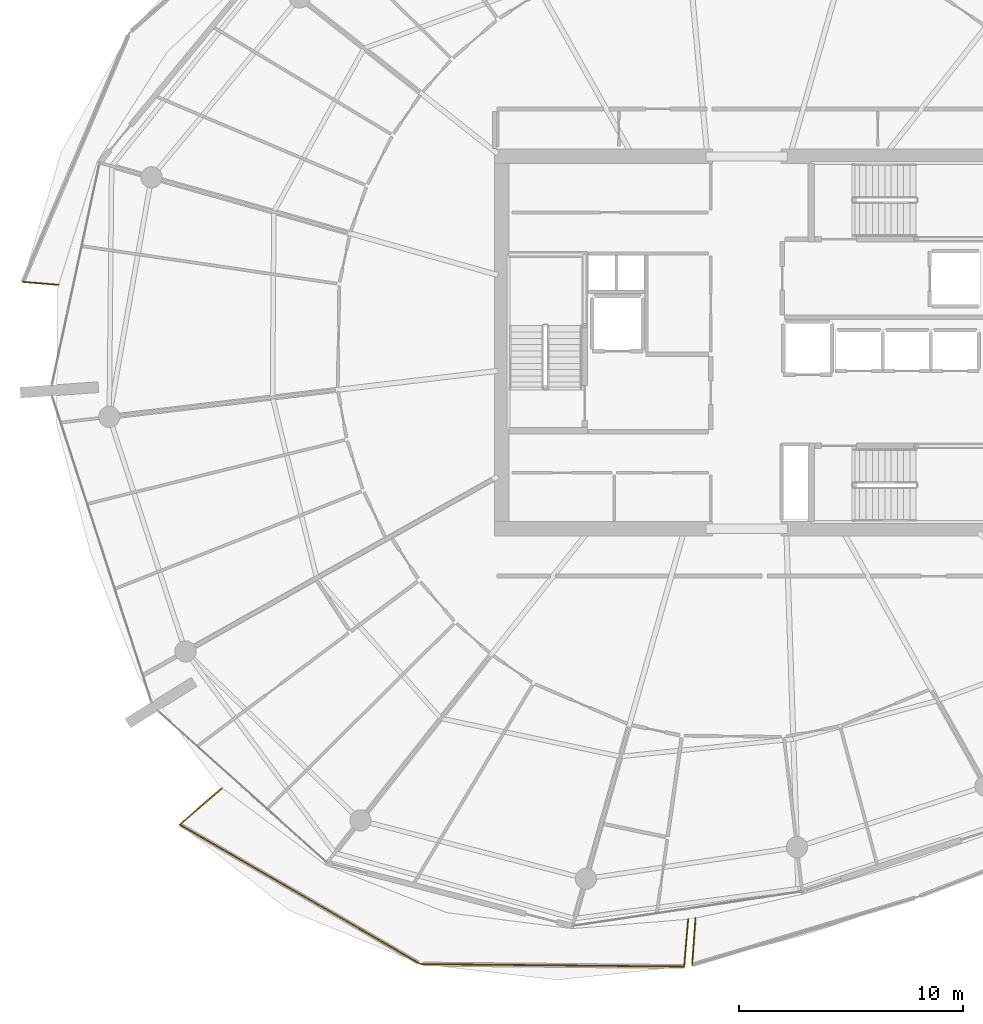
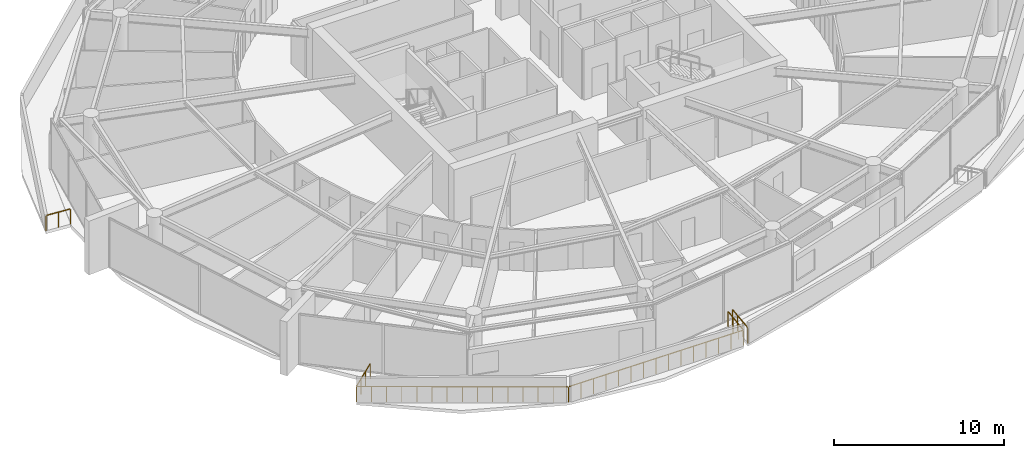
# One storey, part 24 of 30: 6 railings.
"""IFC4 building model written with IfcOpenShell, lengths in metres."""

from ifc_helpers import new_model, si_unit, direction, frame, origin, origin_2d, place, context, subcontext, project, spatial, rectangle, extrude, material, type_object, element, save


model = new_model("IFC4")

# Units and contexts
model_context = context("Model", 3, precision=1e-05, world=origin(), true_north=direction((0.0, 1.0)))
body_context = subcontext(model_context, "Body", "Model", "MODEL_VIEW")
ifc_project = project(units=[si_unit("LENGTHUNIT", "METRE"), si_unit("AREAUNIT", "SQUARE_METRE"), si_unit("VOLUMEUNIT", "CUBIC_METRE"), si_unit("PLANEANGLEUNIT", "RADIAN"), si_unit("MASSUNIT", "GRAM", prefix="KILO")], contexts=[model_context])

# Site, building, storey
site_placement = place(None, origin())
site = spatial("IfcSite", under=ifc_project, at=site_placement, CompositionType="ELEMENT")
building_placement = place(site_placement, origin())
building = spatial("IfcBuilding", under=site, at=building_placement, Name="Kazma Halo Residences", CompositionType="ELEMENT")
storey_placement = place(building_placement, frame((0.0, 0.0, 244.39990234375)))
storey = spatial("IfcBuildingStorey", under=building, at=storey_placement, Name="L61", CompositionType="ELEMENT", Elevation=244.39990234375)

# Railings
ifc_material = material(Name="Aluminium AW-6063 T6 Brushed Cap Rail", Category="aluminium")
railing_type = type_object("IfcRailingType", Name="RLG-BAL-CAP-1120", PredefinedType="BALUSTRADE", material=ifc_material)
railing_1_placement = place(storey_placement, frame((16.0546875, 44.710693359375, 0.0)))
element("IfcRailing", 1, at=railing_1_placement, inside=storey, type_object=railing_type, Name="L61 NW wave balcony guard 4", PredefinedType="BALUSTRADE", context=body_context, shape_type="SweptSolid", body=[
    extrude(rectangle(XDim=0.050048828125, YDim=0.050048828125, at=origin_2d()), frame((0.04248046875, -0.003662109375, 1.09521484375), z_axis=(0.996411975362, -0.08463554428, 0.0), x_axis=(0.08463554428, 0.996411975362, 0.0)), (0.0, 0.0, 1.0), 1.515869140625),
    extrude(rectangle(XDim=0.0400390625, YDim=0.0400390625, at=origin_2d()), origin(), (0.0, 0.0, 1.0), 1.05810546875),
    extrude(rectangle(XDim=0.0400390625, YDim=0.0400390625, at=origin_2d()), frame((0.797607421875, -0.06787109375, 0.0)), (0.0, 0.0, 1.0), 1.05810546875),
    extrude(rectangle(XDim=0.0400390625, YDim=0.0400390625, at=origin_2d()), frame((1.59521484375, -0.135498046875, 0.0)), (0.0, 0.0, 1.0), 1.05810546875),
])
railing_2_placement = place(storey_placement, frame((24.9599609375, 22.0771484375, 0.0)))
element("IfcRailing", 2, at=railing_2_placement, inside=storey, type_object=railing_type, Name="L61 SW wave balcony guard 1", PredefinedType="BALUSTRADE", context=body_context, shape_type="SweptSolid", body=[
    extrude(rectangle(XDim=0.050048828125, YDim=0.050048828125, at=origin_2d()), frame((-0.0322265625, -0.02783203125, 1.09521484375), z_axis=(-0.75642466345, -0.65408082721, 0.0), x_axis=(0.65408082721, -0.75642466345, 0.0)), (0.0, 0.0, 1.0), 2.41015625),
    extrude(rectangle(XDim=0.0400390625, YDim=0.0400390625, at=origin_2d()), origin(), (0.0, 0.0, 1.0), 1.05810546875),
    extrude(rectangle(XDim=0.0400390625, YDim=0.0400390625, at=origin_2d()), frame((-0.629150390625, -0.5439453125, 0.0)), (0.0, 0.0, 1.0), 1.05810546875),
    extrude(rectangle(XDim=0.0400390625, YDim=0.0400390625, at=origin_2d()), frame((-1.25830078125, -1.088134765625, 0.0)), (0.0, 0.0, 1.0), 1.05810546875),
    extrude(rectangle(XDim=0.0400390625, YDim=0.0400390625, at=origin_2d()), frame((-1.887451171875, -1.632080078125, 0.0)), (0.0, 0.0, 1.0), 1.05810546875),
])
railing_3_placement = place(storey_placement, frame((23.072509765625, 20.445068359375, 0.0)))
element("IfcRailing", 3, at=railing_3_placement, inside=storey, type_object=railing_type, Name="L61 SW wave balcony guard 2", PredefinedType="BALUSTRADE", context=body_context, shape_type="SweptSolid", body=[
    extrude(rectangle(XDim=0.050048828125, YDim=0.050048828125, at=origin_2d()), frame((0.036865234375, -0.021240234375, 1.09521484375), z_axis=(0.8652560804, -0.501330146042, 0.0), x_axis=(0.501330146042, 0.8652560804, 0.0)), (0.0, 0.0, 1.0), 12.35791015625),
    extrude(rectangle(XDim=0.0400390625, YDim=0.0400390625, at=origin_2d()), origin(), (0.0, 0.0, 1.0), 1.05810546875),
    extrude(rectangle(XDim=0.0400390625, YDim=0.0400390625, at=origin_2d()), frame((0.76904296875, -0.445556640625, 0.0)), (0.0, 0.0, 1.0), 1.05810546875),
    extrude(rectangle(XDim=0.0400390625, YDim=0.0400390625, at=origin_2d()), frame((1.5380859375, -0.89111328125, 0.0)), (0.0, 0.0, 1.0), 1.05810546875),
    extrude(rectangle(XDim=0.0400390625, YDim=0.0400390625, at=origin_2d()), frame((2.30712890625, -1.336669921875, 0.0)), (0.0, 0.0, 1.0), 1.05810546875),
    extrude(rectangle(XDim=0.0400390625, YDim=0.0400390625, at=origin_2d()), frame((3.076171875, -1.7822265625, 0.0)), (0.0, 0.0, 1.0), 1.05810546875),
    extrude(rectangle(XDim=0.0400390625, YDim=0.0400390625, at=origin_2d()), frame((3.84521484375, -2.227783203125, 0.0)), (0.0, 0.0, 1.0), 1.05810546875),
    extrude(rectangle(XDim=0.0400390625, YDim=0.0400390625, at=origin_2d()), frame((4.6142578125, -2.67333984375, 0.0)), (0.0, 0.0, 1.0), 1.05810546875),
    extrude(rectangle(XDim=0.0400390625, YDim=0.0400390625, at=origin_2d()), frame((5.38330078125, -3.119140625, 0.0)), (0.0, 0.0, 1.0), 1.05810546875),
    extrude(rectangle(XDim=0.0400390625, YDim=0.0400390625, at=origin_2d()), frame((6.152099609375, -3.564697265625, 0.0)), (0.0, 0.0, 1.0), 1.05810546875),
    extrude(rectangle(XDim=0.0400390625, YDim=0.0400390625, at=origin_2d()), frame((6.921142578125, -4.01025390625, 0.0)), (0.0, 0.0, 1.0), 1.05810546875),
    extrude(rectangle(XDim=0.0400390625, YDim=0.0400390625, at=origin_2d()), frame((7.690185546875, -4.455810546875, 0.0)), (0.0, 0.0, 1.0), 1.05810546875),
    extrude(rectangle(XDim=0.0400390625, YDim=0.0400390625, at=origin_2d()), frame((8.459228515625, -4.9013671875, 0.0)), (0.0, 0.0, 1.0), 1.05810546875),
    extrude(rectangle(XDim=0.0400390625, YDim=0.0400390625, at=origin_2d()), frame((9.228271484375, -5.346923828125, 0.0)), (0.0, 0.0, 1.0), 1.05810546875),
    extrude(rectangle(XDim=0.0400390625, YDim=0.0400390625, at=origin_2d()), frame((9.997314453125, -5.79248046875, 0.0)), (0.0, 0.0, 1.0), 1.05810546875),
    extrude(rectangle(XDim=0.0400390625, YDim=0.0400390625, at=origin_2d()), frame((10.766357421875, -6.238037109375, 0.0)), (0.0, 0.0, 1.0), 1.05810546875),
])
railing_4_placement = place(storey_placement, frame((33.8388671875, 14.20703125, 0.0)))
element("IfcRailing", 4, at=railing_4_placement, inside=storey, type_object=railing_type, Name="L61 SW wave balcony guard 3", PredefinedType="BALUSTRADE", context=body_context, shape_type="SweptSolid", body=[
    extrude(rectangle(XDim=0.050048828125, YDim=0.050048828125, at=origin_2d()), frame((0.04248046875, -0.00048828125, 1.09521484375), z_axis=(0.999953670079, -0.009625886691, 0.0), x_axis=(0.009625886691, 0.999953670079, 0.0)), (0.0, 0.0, 1.0), 11.708740234375),
    extrude(rectangle(XDim=0.0400390625, YDim=0.0400390625, at=origin_2d()), origin(), (0.0, 0.0, 1.0), 1.05810546875),
    extrude(rectangle(XDim=0.0400390625, YDim=0.0400390625, at=origin_2d()), frame((0.84228515625, -0.008056640625, 0.0)), (0.0, 0.0, 1.0), 1.05810546875),
    extrude(rectangle(XDim=0.0400390625, YDim=0.0400390625, at=origin_2d()), frame((1.684814453125, -0.01611328125, 0.0)), (0.0, 0.0, 1.0), 1.05810546875),
    extrude(rectangle(XDim=0.0400390625, YDim=0.0400390625, at=origin_2d()), frame((2.527099609375, -0.0244140625, 0.0)), (0.0, 0.0, 1.0), 1.05810546875),
    extrude(rectangle(XDim=0.0400390625, YDim=0.0400390625, at=origin_2d()), frame((3.369384765625, -0.032470703125, 0.0)), (0.0, 0.0, 1.0), 1.05810546875),
    extrude(rectangle(XDim=0.0400390625, YDim=0.0400390625, at=origin_2d()), frame((4.2119140625, -0.04052734375, 0.0)), (0.0, 0.0, 1.0), 1.05810546875),
    extrude(rectangle(XDim=0.0400390625, YDim=0.0400390625, at=origin_2d()), frame((5.05419921875, -0.048583984375, 0.0)), (0.0, 0.0, 1.0), 1.05810546875),
    extrude(rectangle(XDim=0.0400390625, YDim=0.0400390625, at=origin_2d()), frame((5.896484375, -0.056640625, 0.0)), (0.0, 0.0, 1.0), 1.05810546875),
    extrude(rectangle(XDim=0.0400390625, YDim=0.0400390625, at=origin_2d()), frame((6.739013671875, -0.06494140625, 0.0)), (0.0, 0.0, 1.0), 1.05810546875),
    extrude(rectangle(XDim=0.0400390625, YDim=0.0400390625, at=origin_2d()), frame((7.581298828125, -0.072998046875, 0.0)), (0.0, 0.0, 1.0), 1.05810546875),
    extrude(rectangle(XDim=0.0400390625, YDim=0.0400390625, at=origin_2d()), frame((8.423828125, -0.0810546875, 0.0)), (0.0, 0.0, 1.0), 1.05810546875),
    extrude(rectangle(XDim=0.0400390625, YDim=0.0400390625, at=origin_2d()), frame((9.26611328125, -0.089111328125, 0.0)), (0.0, 0.0, 1.0), 1.05810546875),
    extrude(rectangle(XDim=0.0400390625, YDim=0.0400390625, at=origin_2d()), frame((10.1083984375, -0.097412109375, 0.0)), (0.0, 0.0, 1.0), 1.05810546875),
    extrude(rectangle(XDim=0.0400390625, YDim=0.0400390625, at=origin_2d()), frame((10.950927734375, -0.10546875, 0.0)), (0.0, 0.0, 1.0), 1.05810546875),
    extrude(rectangle(XDim=0.0400390625, YDim=0.0400390625, at=origin_2d()), frame((11.793212890625, -0.113525390625, 0.0)), (0.0, 0.0, 1.0), 1.05810546875),
])
railing_5_placement = place(storey_placement, frame((45.632080078125, 14.093505859375, 0.0)))
element("IfcRailing", 5, at=railing_5_placement, inside=storey, type_object=railing_type, Name="L61 SW wave balcony guard 4", PredefinedType="BALUSTRADE", context=body_context, shape_type="SweptSolid", body=[
    extrude(rectangle(XDim=0.050048828125, YDim=0.050048828125, at=origin_2d()), frame((0.003662109375, 0.04248046875, 1.09521484375), z_axis=(0.08453222693, 0.996420745775, 0.0), x_axis=(-0.996420745775, 0.08453222693, 0.0)), (0.0, 0.0, 1.0), 2.034912109375),
    extrude(rectangle(XDim=0.0400390625, YDim=0.0400390625, at=origin_2d()), origin(), (0.0, 0.0, 1.0), 1.05810546875),
    extrude(rectangle(XDim=0.0400390625, YDim=0.0400390625, at=origin_2d()), frame((0.059814453125, 0.7041015625, 0.0)), (0.0, 0.0, 1.0), 1.05810546875),
    extrude(rectangle(XDim=0.0400390625, YDim=0.0400390625, at=origin_2d()), frame((0.119384765625, 1.408203125, 0.0)), (0.0, 0.0, 1.0), 1.05810546875),
    extrude(rectangle(XDim=0.0400390625, YDim=0.0400390625, at=origin_2d()), frame((0.17919921875, 2.1123046875, 0.0)), (0.0, 0.0, 1.0), 1.05810546875),
])
railing_6_placement = place(storey_placement, frame((46.1318359375, 16.25390625, 0.0)))
element("IfcRailing", 6, at=railing_6_placement, inside=storey, type_object=railing_type, Name="L61 SSE wave balcony guard 1", PredefinedType="BALUSTRADE", context=body_context, shape_type="SweptSolid", body=[
    extrude(rectangle(XDim=0.050048828125, YDim=0.050048828125, at=origin_2d()), frame((-0.003173828125, -0.04248046875, 1.09521484375), z_axis=(-0.072339758184, -0.997380047618, 0.0), x_axis=(0.997380047618, -0.072339758184, 0.0)), (0.0, 0.0, 1.0), 2.0107421875),
    extrude(rectangle(XDim=0.0400390625, YDim=0.0400390625, at=origin_2d()), origin(), (0.0, 0.0, 1.0), 1.05810546875),
    extrude(rectangle(XDim=0.0400390625, YDim=0.0400390625, at=origin_2d()), frame((-0.050537109375, -0.69677734375, 0.0)), (0.0, 0.0, 1.0), 1.05810546875),
    extrude(rectangle(XDim=0.0400390625, YDim=0.0400390625, at=origin_2d()), frame((-0.10107421875, -1.3935546875, 0.0)), (0.0, 0.0, 1.0), 1.05810546875),
    extrude(rectangle(XDim=0.0400390625, YDim=0.0400390625, at=origin_2d()), frame((-0.151611328125, -2.09033203125, 0.0)), (0.0, 0.0, 1.0), 1.05810546875),
])

save(model, "model.ifc")
